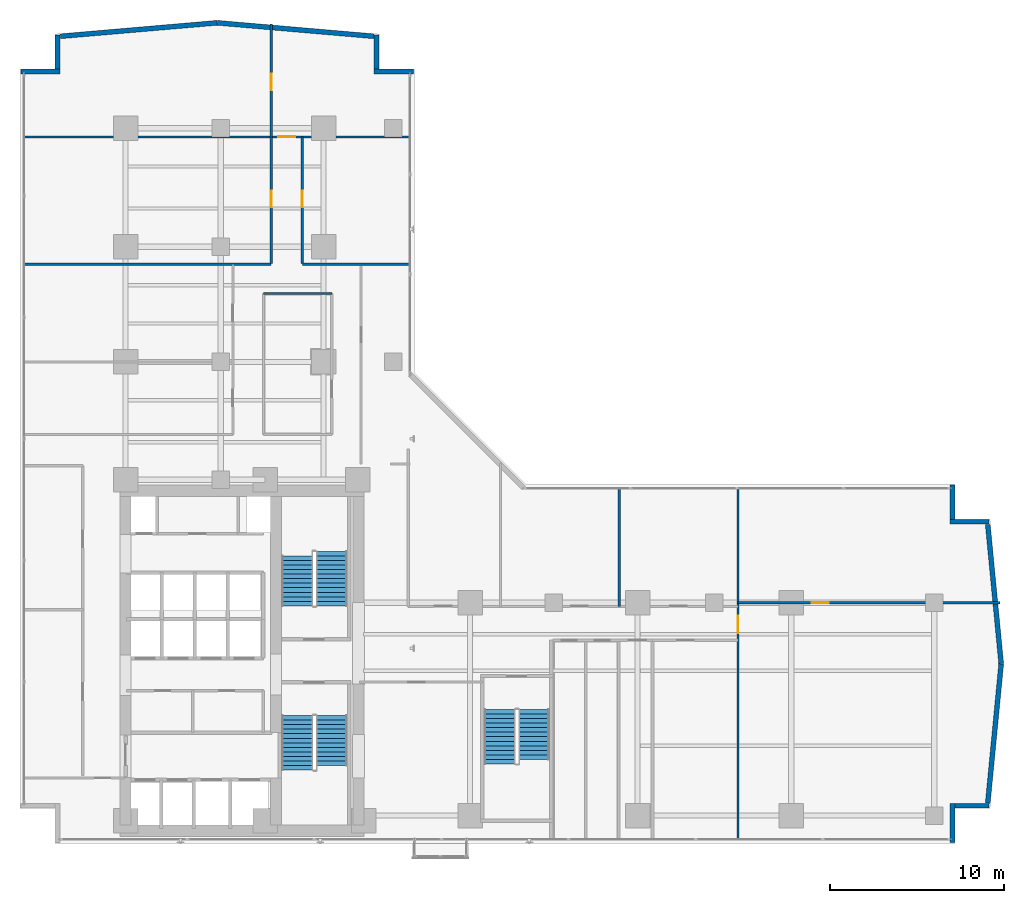
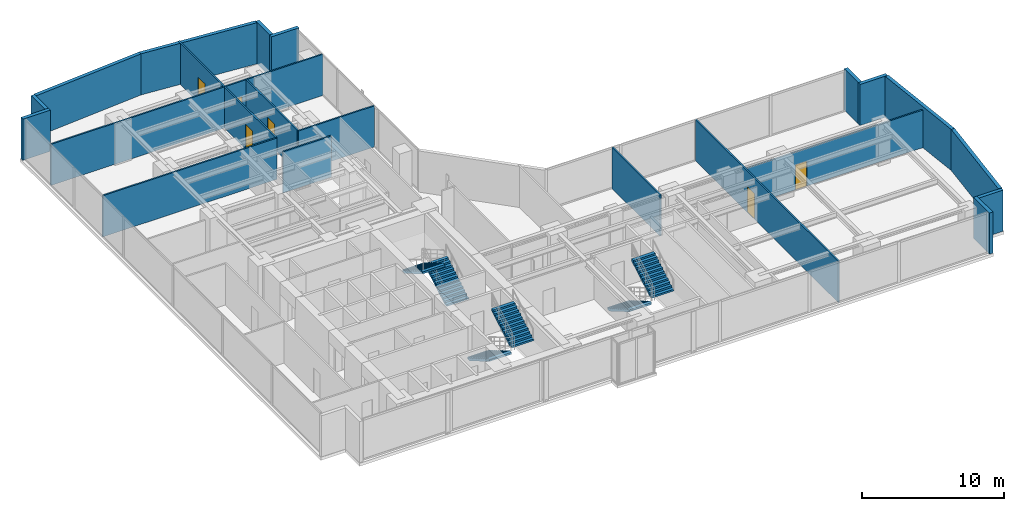
# One storey, part 21 of 26: 22 walls, 6 doors, 6 stair flights, 6 openings, 3 elements without a shape of their own.
"""IFC4 building model written with IfcOpenShell, lengths in metres."""

from ifc_helpers import new_model, si_unit, direction, frame, frame_2d, origin, place, context, subcontext, project, spatial, polyline, rectangle, outline, extrude, material, layer, layer_set, type_object, element, fill, aggregate, save


model = new_model("IFC4")

# Units and contexts
model_context = context("Model", 3, precision=1e-05, world=origin(), true_north=direction((0.0, 1.0)))
body_context = subcontext(model_context, "Body", "Model", "MODEL_VIEW")
ifc_project = project(units=[si_unit("LENGTHUNIT", "METRE"), si_unit("AREAUNIT", "SQUARE_METRE"), si_unit("VOLUMEUNIT", "CUBIC_METRE"), si_unit("PLANEANGLEUNIT", "RADIAN"), si_unit("MASSUNIT", "GRAM", prefix="KILO")], contexts=[model_context])

# Site, building, storey
site_placement = place(None, origin())
site = spatial("IfcSite", under=ifc_project, at=site_placement, CompositionType="ELEMENT")
building_placement = place(site_placement, origin())
building = spatial("IfcBuilding", under=site, at=building_placement, Name="Kolvaren Waterfront Exchange", CompositionType="ELEMENT")
storey_placement = place(building_placement, frame((0.0, 0.0, 122.10009765625)))
storey = spatial("IfcBuildingStorey", under=building, at=storey_placement, Name="L31", CompositionType="ELEMENT", Elevation=122.10009765625)

# Walls
ifc_material_1 = material(Name="Precast concrete C40/50", Category="concrete")
ifc_layer_1 = layer(ifc_material_1, 0.280029296875, Name="Precast concrete C40/50")
ifc_layer_set_1 = layer_set([ifc_layer_1], Name="Precast concrete C40/50")
wall_type_1 = type_object("IfcWallType", Name="ARC-EXT-TERR-280", PredefinedType="SOLIDWALL", material=ifc_layer_set_1)
wall_1_placement = place(storey_placement, frame((54.840087890625, 3.659912109375, 0.0), z_axis=(0.0, 0.0, 1.0), x_axis=(0.0, 1.0, 0.0)))
element("IfcWall", 1, at=wall_1_placement, inside=storey, type_object=wall_type_1, Name="L31 notched corner spandrel pier SE-A", PredefinedType="SOLIDWALL", context=body_context, shape_type="SweptSolid", body=[
    extrude(rectangle(XDim=2.239990234375, YDim=0.280029296875, at=frame_2d((1.1201171875, 0.0))), origin(), (0.0, 0.0, 1.0), 3.539794921875),
])
wall_2_placement = place(storey_placement, frame((54.97998046875, 5.760009765625, 0.0), z_axis=(0.0, 0.0, 1.0), x_axis=(1.0, 0.0, 0.0)))
element("IfcWall", 2, at=wall_2_placement, inside=storey, type_object=wall_type_1, Name="L31 notched corner spandrel pier SE-B", PredefinedType="SOLIDWALL", context=body_context, shape_type="SweptSolid", body=[
    extrude(rectangle(XDim=1.9599609375, YDim=0.280029296875, at=frame_2d((0.97998046875, 0.0))), origin(), (0.0, 0.0, 1.0), 3.539794921875),
])
wall_3_placement = place(storey_placement, frame((54.840087890625, 22.1650390625, 0.0), z_axis=(0.0, 0.0, 1.0), x_axis=(0.0, 1.0, 0.0)))
element("IfcWall", 3, at=wall_3_placement, inside=storey, type_object=wall_type_1, Name="L31 notched corner spandrel pier ENE-A", PredefinedType="SOLIDWALL", context=body_context, shape_type="SweptSolid", body=[
    extrude(rectangle(XDim=1.974853515625, YDim=0.280029296875, at=frame_2d((0.9873046875, 0.0))), origin(), (0.0, 0.0, 1.0), 3.539794921875),
])
for number, where, z_axis, x_axis, name in (
    (4, (54.699951171875, 22.0400390625, 0.0), (0.0, 0.0, 1.0), (1.0, 0.0, 0.0), "L31 notched corner spandrel pier ENE-B"),
    (5, (21.699951171875, 47.840087890625, 0.0), (0.0, 0.0, 1.0), (1.0, 0.0, 0.0), "L31 notched corner spandrel pier NNE-A"),
):
    element("IfcWall", number, at=place(storey_placement, frame(where, z_axis=z_axis, x_axis=x_axis)), inside=storey, type_object=wall_type_1, Name=name, PredefinedType="SOLIDWALL", context=body_context, shape_type="SweptSolid", body=[
        extrude(rectangle(XDim=2.239990234375, YDim=0.280029296875, at=frame_2d((1.1201171875, 0.0))), origin(), (0.0, 0.0, 1.0), 3.539794921875),
    ])
wall_4_placement = place(storey_placement, frame((21.840087890625, 47.97998046875, 0.0), z_axis=(0.0, 0.0, 1.0), x_axis=(0.0, 1.0, 0.0)))
element("IfcWall", 6, at=wall_4_placement, inside=storey, type_object=wall_type_1, Name="L31 notched corner spandrel pier NNE-B", PredefinedType="SOLIDWALL", context=body_context, shape_type="SweptSolid", body=[
    extrude(rectangle(XDim=1.9599609375, YDim=0.280029296875, at=frame_2d((0.97998046875, 0.0))), origin(), (0.0, 0.0, 1.0), 3.539794921875),
])
wall_5_placement = place(storey_placement, frame((1.4599609375, 47.840087890625, 0.0), z_axis=(0.0, 0.0, 1.0), x_axis=(1.0, 0.0, 0.0)))
element("IfcWall", 7, at=wall_5_placement, inside=storey, type_object=wall_type_1, Name="L31 notched corner spandrel pier NW-A", PredefinedType="SOLIDWALL", context=body_context, shape_type="SweptSolid", body=[
    extrude(rectangle(XDim=2.239990234375, YDim=0.280029296875, at=frame_2d((1.1201171875, 0.0))), origin(), (0.0, 0.0, 1.0), 3.539794921875),
])
wall_6_placement = place(storey_placement, frame((3.56005859375, 47.97998046875, 0.0), z_axis=(0.0, 0.0, 1.0), x_axis=(0.0, 1.0, 0.0)))
element("IfcWall", 8, at=wall_6_placement, inside=storey, type_object=wall_type_1, Name="L31 notched corner spandrel pier NW-B", PredefinedType="SOLIDWALL", context=body_context, shape_type="SweptSolid", body=[
    extrude(rectangle(XDim=1.9599609375, YDim=0.280029296875, at=frame_2d((0.97998046875, 0.0))), origin(), (0.0, 0.0, 1.0), 3.539794921875),
])
for number, where, z_axis, x_axis, name in (
    (9, (56.869384765625, 5.9140625, 0.0), (0.0, 0.0, 1.0), (0.095969995245, 0.995384227328, 0.0), "L31 east prow faceted facade wall 1"),
    (10, (57.638916015625, 13.904541015625, 0.0), (0.0, 0.0, 1.0), (-0.095969995245, 0.995384227328, 0.0), "L31 east prow faceted facade wall 2"),
):
    element("IfcWall", number, at=place(storey_placement, frame(where, z_axis=z_axis, x_axis=x_axis)), inside=storey, type_object=wall_type_1, Name=name, PredefinedType="SOLIDWALL", context=body_context, shape_type="SweptSolid", body=[
        extrude(rectangle(XDim=8.0185546875, YDim=0.280029296875, at=frame_2d((4.00927734375, 0.0))), origin(), (0.0, 0.0, 1.0), 3.539794921875),
    ])
for number, where, z_axis, x_axis, name in (
    (11, (21.6875, 49.8662109375, 0.0), (0.0, 0.0, 1.0), (-0.996319339243, 0.085719159179, 0.0), "L31 north prow faceted facade wall 1"),
    (12, (12.69384765625, 50.638916015625, 0.0), (0.0, 0.0, 1.0), (-0.996319339243, -0.085719159179, 0.0), "L31 north prow faceted facade wall 2"),
):
    element("IfcWall", number, at=place(storey_placement, frame(where, z_axis=z_axis, x_axis=x_axis)), inside=storey, type_object=wall_type_1, Name=name, PredefinedType="SOLIDWALL", context=body_context, shape_type="SweptSolid", body=[
        extrude(rectangle(XDim=9.014404296875, YDim=0.280029296875, at=frame_2d((4.50732421875, 0.0))), origin(), (0.0, 0.0, 1.0), 3.539794921875),
    ])
ifc_material_2 = material(Name="Acoustic gypsum steel stud", Category="steel")
ifc_layer_2 = layer(ifc_material_2, 0.125, Name="Acoustic gypsum steel stud")
ifc_layer_set_2 = layer_set([ifc_layer_2], Name="Acoustic gypsum steel stud")
wall_type_2 = type_object("IfcWallType", Name="ARC-PART-125", PredefinedType="PARTITIONING", material=ifc_layer_set_2)
wall_7_placement = place(storey_placement, frame((15.35009765625, 35.1201171875, 0.0), z_axis=(0.0, 0.0, 1.0), x_axis=(1.0, 0.0, 0.0)))
element("IfcWall", 13, at=wall_7_placement, inside=storey, type_object=wall_type_2, Name="L31 interior wall PW-L31-ISL-N", PredefinedType="PARTITIONING", context=body_context, shape_type="SweptSolid", body=[
    extrude(rectangle(XDim=3.919921875, YDim=0.125, at=frame_2d((1.9599609375, 0.0))), origin(), (0.0, 0.0, 1.0), 3.539794921875),
])
wall_8_placement = place(storey_placement, frame((1.639892578125, 36.800048828125, 0.0), z_axis=(0.0, 0.0, 1.0), x_axis=(1.0, 0.0, 0.0)))
element("IfcWall", 14, at=wall_8_placement, inside=storey, type_object=wall_type_2, Name="L31 interior wall PW-L31-MWL-N", PredefinedType="PARTITIONING", context=body_context, shape_type="SweptSolid", body=[
    extrude(rectangle(XDim=14.16015625, YDim=0.125, at=frame_2d((7.080078125, 0.0))), origin(), (0.0, 0.0, 1.0), 3.539794921875),
])
wall_9_placement = place(storey_placement, frame((17.580078125, 36.800048828125, 0.0), z_axis=(0.0, 0.0, 1.0), x_axis=(1.0, 0.0, 0.0)))
element("IfcWall", 15, at=wall_9_placement, inside=storey, type_object=wall_type_2, Name="L31 interior wall PW-L31-RFLANK-N", PredefinedType="PARTITIONING", context=body_context, shape_type="SweptSolid", body=[
    extrude(rectangle(XDim=6.179931640625, YDim=0.125, at=frame_2d((3.08984375, 0.0))), origin(), (0.0, 0.0, 1.0), 3.539794921875),
])

# Wall, opening, door
wall_10_placement = place(storey_placement, frame((42.550048828125, 3.840087890625, 0.0), z_axis=(0.0, 0.0, 1.0), x_axis=(0.0, 1.0, 0.0)))
wall_10 = element("IfcWall", 16, at=wall_10_placement, inside=storey, type_object=wall_type_2, Name="L31 interior wall PW-L31-ETIP-W", PredefinedType="PARTITIONING", context=body_context, shape_type="SweptSolid", body=[
    extrude(rectangle(XDim=20.119873046875, YDim=0.125, at=frame_2d((10.06005859375, 0.0))), origin(), (0.0, 0.0, 1.0), 3.539794921875),
])
opening_1_placement = place(wall_10_placement, frame((11.81005859375, 0.0, 0.0)))
opening_1 = element("IfcOpeningElement", 17, at=opening_1_placement, cuts=wall_10, Name="Opening D03", PredefinedType="OPENING", context=body_context, shape_type="SweptSolid", body=[
    extrude(rectangle(XDim=1.0, YDim=2.199951171875, at=frame_2d((0.5, 1.10009765625))), frame((0.0, 0.072509765625, 0.0), z_axis=(0.0, -1.0, 0.0), x_axis=(1.0, 0.0, 0.0)), (0.0, 0.0, 1.0), 0.14501953125),
])
ifc_material_3 = material(Name="Oak veneer accessible timber", Category="wood")
door_type_1 = type_object("IfcDoorType", Name="ARC-DR-1000", OperationType="NOTDEFINED", PredefinedType="DOOR", material=ifc_material_3)
door_1_placement = place(opening_1_placement, origin())
door_1 = element("IfcDoor", 18, at=door_1_placement, inside=storey, type_object=door_type_1, Name="L31 door DR-L31-ETIP1-D (D03)", OperationType="SINGLE_SWING_LEFT", OverallHeight=2.199951171875, OverallWidth=1.0, PredefinedType="DOOR", context=body_context, shape_type="SweptSolid", body=[
    extrude(rectangle(XDim=1.0, YDim=2.199951171875, at=frame_2d((0.5, 1.10009765625))), frame((0.0, 0.02490234375, 0.0), z_axis=(0.0, -1.0, 0.0), x_axis=(1.0, 0.0, 0.0)), (0.0, 0.0, 1.0), 0.050048828125),
])
fill(opening_1, door_1)

wall_11_placement = place(storey_placement, frame((42.550048828125, 17.39990234375, 0.0), z_axis=(0.0, 0.0, 1.0), x_axis=(1.0, 0.0, 0.0)))
wall_11 = element("IfcWall", 19, at=wall_11_placement, inside=storey, type_object=wall_type_2, Name="L31 interior wall PW-L31-ETIP-MID", PredefinedType="PARTITIONING", context=body_context, shape_type="SweptSolid", body=[
    extrude(rectangle(XDim=15.010009765625, YDim=0.125, at=frame_2d((7.5048828125, 0.0))), origin(), (0.0, 0.0, 1.0), 3.239990234375),
])
opening_2_placement = place(wall_11_placement, frame((4.24365234375, 0.0, 0.0)))
opening_2 = element("IfcOpeningElement", 20, at=opening_2_placement, cuts=wall_11, Name="Opening D02", PredefinedType="OPENING", context=body_context, shape_type="SweptSolid", body=[
    extrude(rectangle(XDim=0.949951171875, YDim=2.14990234375, at=frame_2d((0.47509765625, 1.074951171875))), frame((0.0, 0.072509765625, 0.0), z_axis=(0.0, -1.0, 0.0), x_axis=(1.0, 0.0, 0.0)), (0.0, 0.0, 1.0), 0.14501953125),
])
ifc_material_4 = material(Name="Oak veneer acoustic timber", Category="wood")
door_type_2 = type_object("IfcDoorType", Name="ARC-DR-950", OperationType="NOTDEFINED", PredefinedType="DOOR", material=ifc_material_4)
door_2_placement = place(opening_2_placement, origin())
door_2 = element("IfcDoor", 21, at=door_2_placement, inside=storey, type_object=door_type_2, Name="L31 door DR-L31-ETIP2-D (D02)", OperationType="SINGLE_SWING_RIGHT", OverallHeight=2.14990234375, OverallWidth=0.949951171875, PredefinedType="DOOR", context=body_context, shape_type="SweptSolid", body=[
    extrude(rectangle(XDim=0.949951171875, YDim=2.14990234375, at=frame_2d((0.47509765625, 1.074951171875))), frame((0.0, 0.02490234375, 0.0), z_axis=(0.0, -1.0, 0.0), x_axis=(1.0, 0.0, 0.0)), (0.0, 0.0, 1.0), 0.050048828125),
])
fill(opening_2, door_2)

# Wall
wall_12_placement = place(storey_placement, frame((35.75, 17.18994140625, 0.0), z_axis=(0.0, 0.0, 1.0), x_axis=(0.0, 1.0, 0.0)))
element("IfcWall", 22, at=wall_12_placement, inside=storey, type_object=wall_type_2, Name="L31 interior wall PW-L31-EN-DIV-2", PredefinedType="PARTITIONING", context=body_context, shape_type="SweptSolid", body=[
    extrude(rectangle(XDim=6.77001953125, YDim=0.125, at=frame_2d((3.385009765625, 0.0))), origin(), (0.0, 0.0, 1.0), 3.539794921875),
])

# Wall, opening, door
wall_13_placement = place(storey_placement, frame((15.800048828125, 36.85009765625, 0.0), z_axis=(0.0, 0.0, 1.0), x_axis=(0.0, 1.0, 0.0)))
wall_13 = element("IfcWall", 23, at=wall_13_placement, inside=storey, type_object=wall_type_2, Name="L31 interior wall PW-L31-NW-CORR", PredefinedType="PARTITIONING", context=body_context, shape_type="SweptSolid", body=[
    extrude(rectangle(XDim=7.25, YDim=0.125, at=frame_2d((3.625, 0.0))), origin(), (0.0, 0.0, 1.0), 3.539794921875),
])
opening_3_placement = place(wall_13_placement, frame((3.220458984375, 0.0, 0.0)))
opening_3 = element("IfcOpeningElement", 24, at=opening_3_placement, cuts=wall_13, Name="Opening D02", PredefinedType="OPENING", context=body_context, shape_type="SweptSolid", body=[
    extrude(rectangle(XDim=0.949951171875, YDim=2.14990234375, at=frame_2d((0.47509765625, 1.074951171875))), frame((0.0, 0.072509765625, 0.0), z_axis=(0.0, -1.0, 0.0), x_axis=(1.0, 0.0, 0.0)), (0.0, 0.0, 1.0), 0.14501953125),
])
door_3_placement = place(opening_3_placement, origin())
door_3 = element("IfcDoor", 25, at=door_3_placement, inside=storey, type_object=door_type_2, Name="L31 door DR-L31-NW-D-1 (D02)", OperationType="SINGLE_SWING_RIGHT", OverallHeight=2.14990234375, OverallWidth=0.949951171875, PredefinedType="DOOR", context=body_context, shape_type="SweptSolid", body=[
    extrude(rectangle(XDim=0.949951171875, YDim=2.14990234375, at=frame_2d((0.47509765625, 1.074951171875))), frame((0.0, 0.02490234375, 0.0), z_axis=(0.0, -1.0, 0.0), x_axis=(1.0, 0.0, 0.0)), (0.0, 0.0, 1.0), 0.050048828125),
])
fill(opening_3, door_3)

wall_14_placement = place(storey_placement, frame((1.639892578125, 44.10009765625, 0.0), z_axis=(0.0, 0.0, 1.0), x_axis=(1.0, 0.0, 0.0)))
wall_14 = element("IfcWall", 26, at=wall_14_placement, inside=storey, type_object=wall_type_2, Name="L31 interior wall PW-L31-NTIP-S", PredefinedType="PARTITIONING", context=body_context, shape_type="SweptSolid", body=[
    extrude(rectangle(XDim=22.1201171875, YDim=0.125, at=frame_2d((11.06005859375, 0.0))), origin(), (0.0, 0.0, 1.0), 3.539794921875),
])
opening_4_placement = place(wall_14_placement, frame((14.550048828125, 0.0, 0.0)))
opening_4 = element("IfcOpeningElement", 27, at=opening_4_placement, cuts=wall_14, Name="Opening D03", PredefinedType="OPENING", context=body_context, shape_type="SweptSolid", body=[
    extrude(rectangle(XDim=1.0, YDim=2.199951171875, at=frame_2d((0.5, 1.10009765625))), frame((0.0, 0.072509765625, 0.0), z_axis=(0.0, -1.0, 0.0), x_axis=(1.0, 0.0, 0.0)), (0.0, 0.0, 1.0), 0.14501953125),
])
door_4_placement = place(opening_4_placement, origin())
door_4 = element("IfcDoor", 28, at=door_4_placement, inside=storey, type_object=door_type_1, Name="L31 door DR-L31-NTIPE-D (D03)", OperationType="SINGLE_SWING_LEFT", OverallHeight=2.199951171875, OverallWidth=1.0, PredefinedType="DOOR", context=body_context, shape_type="SweptSolid", body=[
    extrude(rectangle(XDim=1.0, YDim=2.199951171875, at=frame_2d((0.5, 1.10009765625))), frame((0.0, 0.02490234375, 0.0), z_axis=(0.0, -1.0, 0.0), x_axis=(1.0, 0.0, 0.0)), (0.0, 0.0, 1.0), 0.050048828125),
])
fill(opening_4, door_4)

wall_15_placement = place(storey_placement, frame((15.800048828125, 44.10009765625, 0.0), z_axis=(0.0, 0.0, 1.0), x_axis=(0.0, 1.0, 0.0)))
wall_15 = element("IfcWall", 29, at=wall_15_placement, inside=storey, type_object=wall_type_2, Name="L31 interior wall PW-L31-NTIP-DIV", PredefinedType="PARTITIONING", context=body_context, shape_type="SweptSolid", body=[
    extrude(rectangle(XDim=6.4599609375, YDim=0.125, at=frame_2d((3.22998046875, 0.0))), origin(), (0.0, 0.0, 1.0), 3.539794921875),
])
opening_5_placement = place(wall_15_placement, frame((2.677490234375, 0.0, 0.0)))
opening_5 = element("IfcOpeningElement", 30, at=opening_5_placement, cuts=wall_15, Name="Opening D02", PredefinedType="OPENING", context=body_context, shape_type="SweptSolid", body=[
    extrude(rectangle(XDim=0.949951171875, YDim=2.14990234375, at=frame_2d((0.47509765625, 1.074951171875))), frame((0.0, 0.072509765625, 0.0), z_axis=(0.0, -1.0, 0.0), x_axis=(1.0, 0.0, 0.0)), (0.0, 0.0, 1.0), 0.14501953125),
])
door_5_placement = place(opening_5_placement, origin())
door_5 = element("IfcDoor", 31, at=door_5_placement, inside=storey, type_object=door_type_2, Name="L31 door DR-L31-NTIPW-D (D02)", OperationType="SINGLE_SWING_RIGHT", OverallHeight=2.14990234375, OverallWidth=0.949951171875, PredefinedType="DOOR", context=body_context, shape_type="SweptSolid", body=[
    extrude(rectangle(XDim=0.949951171875, YDim=2.14990234375, at=frame_2d((0.47509765625, 1.074951171875))), frame((0.0, 0.02490234375, 0.0), z_axis=(0.0, -1.0, 0.0), x_axis=(1.0, 0.0, 0.0)), (0.0, 0.0, 1.0), 0.050048828125),
])
fill(opening_5, door_5)

wall_16_placement = place(storey_placement, frame((17.580078125, 36.85009765625, 0.0), z_axis=(0.0, 0.0, 1.0), x_axis=(0.0, 1.0, 0.0)))
wall_16 = element("IfcWall", 32, at=wall_16_placement, inside=storey, type_object=wall_type_2, Name="L31 interior wall PW-L31-NE-CORR", PredefinedType="PARTITIONING", context=body_context, shape_type="SweptSolid", body=[
    extrude(rectangle(XDim=7.25, YDim=0.125, at=frame_2d((3.625, 0.0))), origin(), (0.0, 0.0, 1.0), 3.539794921875),
])
opening_6_placement = place(wall_16_placement, frame((3.220458984375, 0.0, 0.0)))
opening_6 = element("IfcOpeningElement", 33, at=opening_6_placement, cuts=wall_16, Name="Opening D02", PredefinedType="OPENING", context=body_context, shape_type="SweptSolid", body=[
    extrude(rectangle(XDim=0.949951171875, YDim=2.14990234375, at=frame_2d((0.47509765625, 1.074951171875))), frame((0.0, 0.072509765625, 0.0), z_axis=(0.0, -1.0, 0.0), x_axis=(1.0, 0.0, 0.0)), (0.0, 0.0, 1.0), 0.14501953125),
])
door_6_placement = place(opening_6_placement, origin())
door_6 = element("IfcDoor", 34, at=door_6_placement, inside=storey, type_object=door_type_2, Name="L31 door DR-L31-NE-D-1 (D02)", OperationType="SINGLE_SWING_LEFT", OverallHeight=2.14990234375, OverallWidth=0.949951171875, PredefinedType="DOOR", context=body_context, shape_type="SweptSolid", body=[
    extrude(rectangle(XDim=0.949951171875, YDim=2.14990234375, at=frame_2d((0.47509765625, 1.074951171875))), frame((0.0, 0.02490234375, 0.0), z_axis=(0.0, -1.0, 0.0), x_axis=(1.0, 0.0, 0.0)), (0.0, 0.0, 1.0), 0.050048828125),
])
fill(opening_6, door_6)

# Stair, stair flights
ifc_material_5 = material(Name="Concrete C40/50", Category="concrete")
stair_type = type_object("IfcStairType", Name="ARC-STAIR-3800", PredefinedType="HALF_TURN_STAIR", material=ifc_material_5)
stair_1_placement = place(storey_placement, origin())
stair_1 = element("IfcStair", 35, at=stair_1_placement, inside=storey, type_object=stair_type, Name="L31 Smoke-proof exit stair ST1", PredefinedType="HALF_TURN_STAIR")
stair_flight_type = type_object("IfcStairFlightType", Name="ARC-FLIGHT-3800", PredefinedType="STRAIGHT", material=ifc_material_5)
stair_flight_1_placement = place(storey_placement, frame((17.300048828125, 10.929931640625, 0.0), z_axis=(0.0, 0.0, 1.0), x_axis=(0.0, -1.0, 0.0)))
stair_flight_1 = element("IfcStairFlight", 36, at=stair_flight_1_placement, type_object=stair_flight_type, Name="ST1 flight 1", NumberOfRisers=13, NumberOfTreads=12, PredefinedType="STRAIGHT", RiserHeight=0.152, TreadLength=0.26, context=body_context, shape_type="SweptSolid", body=[
    extrude(outline(polyline([(0.0, 0.0), (0.0, 0.152099609375), (0.260009765625, 0.152099609375), (0.260009765625, 0.303955078125), (0.52001953125, 0.303955078125), (0.52001953125, 0.4560546875), (0.780029296875, 0.4560546875), (0.780029296875, 0.60791015625), (1.0400390625, 0.60791015625), (1.0400390625, 0.760009765625), (1.300048828125, 0.760009765625), (1.300048828125, 0.912109375), (1.56005859375, 0.912109375), (1.56005859375, 1.06396484375), (1.820068359375, 1.06396484375), (1.820068359375, 1.216064453125), (2.080078125, 1.216064453125), (2.080078125, 1.367919921875), (2.340087890625, 1.367919921875), (2.340087890625, 1.52001953125), (2.60009765625, 1.52001953125), (2.60009765625, 1.672119140625), (2.860107421875, 1.672119140625), (2.860107421875, 1.823974609375), (3.1201171875, 1.823974609375), (3.1201171875, 1.97607421875), (3.1201171875, 1.650390625), (0.297119140625, 0.0), (0.0, 0.0)])), frame((0.0, 0.89990234375, 0.0), z_axis=(0.0, -1.0, 0.0), x_axis=(1.0, 0.0, 0.0)), (0.0, 0.0, 1.0), 1.800048828125),
])
stair_flight_2_placement = place(storey_placement, frame((19.260009765625, 8.070068359375, 1.975830078125), z_axis=(0.0, 0.0, 1.0), x_axis=(0.0, 1.0, 0.0)))
stair_flight_2 = element("IfcStairFlight", 37, at=stair_flight_2_placement, type_object=stair_flight_type, Name="ST1 flight 2", NumberOfRisers=12, NumberOfTreads=11, PredefinedType="STRAIGHT", RiserHeight=0.152, TreadLength=0.26, context=body_context, shape_type="SweptSolid", body=[
    extrude(outline(polyline([(0.0, 0.0), (0.0, 0.152099609375), (0.260009765625, 0.152099609375), (0.260009765625, 0.303955078125), (0.52001953125, 0.303955078125), (0.52001953125, 0.4560546875), (0.780029296875, 0.4560546875), (0.780029296875, 0.60791015625), (1.0400390625, 0.60791015625), (1.0400390625, 0.760009765625), (1.300048828125, 0.760009765625), (1.300048828125, 0.912109375), (1.56005859375, 0.912109375), (1.56005859375, 1.06396484375), (1.820068359375, 1.06396484375), (1.820068359375, 1.216064453125), (2.080078125, 1.216064453125), (2.080078125, 1.367919921875), (2.340087890625, 1.367919921875), (2.340087890625, 1.52001953125), (2.60009765625, 1.52001953125), (2.60009765625, 1.672119140625), (2.860107421875, 1.672119140625), (2.860107421875, 1.823974609375), (2.860107421875, 1.498291015625), (0.297119140625, 0.0), (0.0, 0.0)])), frame((0.0, 0.89990234375, 0.0), z_axis=(0.0, -1.0, 0.0), x_axis=(1.0, 0.0, 0.0)), (0.0, 0.0, 1.0), 1.800048828125),
])
aggregate(stair_1, [stair_flight_1, stair_flight_2])

stair_2_placement = place(storey_placement, origin())
stair_2 = element("IfcStair", 38, at=stair_2_placement, inside=storey, type_object=stair_type, Name="L31 Smoke-proof exit stair ST2", PredefinedType="HALF_TURN_STAIR")
stair_flight_3_placement = place(storey_placement, frame((19.260009765625, 17.219970703125, 0.0), z_axis=(0.0, 0.0, 1.0), x_axis=(0.0, 1.0, 0.0)))
stair_flight_3 = element("IfcStairFlight", 39, at=stair_flight_3_placement, type_object=stair_flight_type, Name="ST2 flight 1", NumberOfRisers=13, NumberOfTreads=12, PredefinedType="STRAIGHT", RiserHeight=0.152, TreadLength=0.26, context=body_context, shape_type="SweptSolid", body=[
    extrude(outline(polyline([(0.0, 0.0), (0.0, 0.152099609375), (0.260009765625, 0.152099609375), (0.260009765625, 0.303955078125), (0.52001953125, 0.303955078125), (0.52001953125, 0.4560546875), (0.780029296875, 0.4560546875), (0.780029296875, 0.60791015625), (1.0400390625, 0.60791015625), (1.0400390625, 0.760009765625), (1.300048828125, 0.760009765625), (1.300048828125, 0.912109375), (1.56005859375, 0.912109375), (1.56005859375, 1.06396484375), (1.820068359375, 1.06396484375), (1.820068359375, 1.216064453125), (2.080078125, 1.216064453125), (2.080078125, 1.367919921875), (2.340087890625, 1.367919921875), (2.340087890625, 1.52001953125), (2.60009765625, 1.52001953125), (2.60009765625, 1.672119140625), (2.860107421875, 1.672119140625), (2.860107421875, 1.823974609375), (3.1201171875, 1.823974609375), (3.1201171875, 1.97607421875), (3.1201171875, 1.650390625), (0.297119140625, 0.0), (0.0, 0.0)])), frame((0.0, 0.89990234375, 0.0), z_axis=(0.0, -1.0, 0.0), x_axis=(1.0, 0.0, 0.0)), (0.0, 0.0, 1.0), 1.800048828125),
])
stair_flight_4_placement = place(storey_placement, frame((17.300048828125, 20.080078125, 1.975830078125), z_axis=(0.0, 0.0, 1.0), x_axis=(0.0, -1.0, 0.0)))
stair_flight_4 = element("IfcStairFlight", 40, at=stair_flight_4_placement, type_object=stair_flight_type, Name="ST2 flight 2", NumberOfRisers=12, NumberOfTreads=11, PredefinedType="STRAIGHT", RiserHeight=0.152, TreadLength=0.26, context=body_context, shape_type="SweptSolid", body=[
    extrude(outline(polyline([(0.0, 0.0), (0.0, 0.152099609375), (0.260009765625, 0.152099609375), (0.260009765625, 0.303955078125), (0.52001953125, 0.303955078125), (0.52001953125, 0.4560546875), (0.780029296875, 0.4560546875), (0.780029296875, 0.60791015625), (1.0400390625, 0.60791015625), (1.0400390625, 0.760009765625), (1.300048828125, 0.760009765625), (1.300048828125, 0.912109375), (1.56005859375, 0.912109375), (1.56005859375, 1.06396484375), (1.820068359375, 1.06396484375), (1.820068359375, 1.216064453125), (2.080078125, 1.216064453125), (2.080078125, 1.367919921875), (2.340087890625, 1.367919921875), (2.340087890625, 1.52001953125), (2.60009765625, 1.52001953125), (2.60009765625, 1.672119140625), (2.860107421875, 1.672119140625), (2.860107421875, 1.823974609375), (2.860107421875, 1.498291015625), (0.297119140625, 0.0), (0.0, 0.0)])), frame((0.0, 0.89990234375, 0.0), z_axis=(0.0, -1.0, 0.0), x_axis=(1.0, 0.0, 0.0)), (0.0, 0.0, 1.0), 1.800048828125),
])
aggregate(stair_2, [stair_flight_3, stair_flight_4])

stair_3_placement = place(storey_placement, origin())
stair_3 = element("IfcStair", 41, at=stair_3_placement, inside=storey, type_object=stair_type, Name="L31 Exit stair ST3", PredefinedType="HALF_TURN_STAIR")
stair_flight_5_placement = place(storey_placement, frame((28.89990234375, 11.280029296875, 0.0), z_axis=(0.0, 0.0, 1.0), x_axis=(0.0, -1.0, 0.0)))
stair_flight_5 = element("IfcStairFlight", 42, at=stair_flight_5_placement, type_object=stair_flight_type, Name="ST3 flight 1", NumberOfRisers=13, NumberOfTreads=12, PredefinedType="STRAIGHT", RiserHeight=0.152, TreadLength=0.26, context=body_context, shape_type="SweptSolid", body=[
    extrude(outline(polyline([(0.0, 0.0), (0.0, 0.152099609375), (0.260009765625, 0.152099609375), (0.260009765625, 0.303955078125), (0.52001953125, 0.303955078125), (0.52001953125, 0.4560546875), (0.780029296875, 0.4560546875), (0.780029296875, 0.60791015625), (1.0400390625, 0.60791015625), (1.0400390625, 0.760009765625), (1.300048828125, 0.760009765625), (1.300048828125, 0.912109375), (1.56005859375, 0.912109375), (1.56005859375, 1.06396484375), (1.820068359375, 1.06396484375), (1.820068359375, 1.216064453125), (2.080078125, 1.216064453125), (2.080078125, 1.367919921875), (2.340087890625, 1.367919921875), (2.340087890625, 1.52001953125), (2.60009765625, 1.52001953125), (2.60009765625, 1.672119140625), (2.860107421875, 1.672119140625), (2.860107421875, 1.823974609375), (3.1201171875, 1.823974609375), (3.1201171875, 1.97607421875), (3.1201171875, 1.650390625), (0.297119140625, 0.0), (0.0, 0.0)])), frame((0.0, 0.89990234375, 0.0), z_axis=(0.0, -1.0, 0.0), x_axis=(1.0, 0.0, 0.0)), (0.0, 0.0, 1.0), 1.800048828125),
])
stair_flight_6_placement = place(storey_placement, frame((30.860107421875, 8.419921875, 1.975830078125), z_axis=(0.0, 0.0, 1.0), x_axis=(0.0, 1.0, 0.0)))
stair_flight_6 = element("IfcStairFlight", 43, at=stair_flight_6_placement, type_object=stair_flight_type, Name="ST3 flight 2", NumberOfRisers=12, NumberOfTreads=11, PredefinedType="STRAIGHT", RiserHeight=0.152, TreadLength=0.26, context=body_context, shape_type="SweptSolid", body=[
    extrude(outline(polyline([(0.0, 0.0), (0.0, 0.152099609375), (0.260009765625, 0.152099609375), (0.260009765625, 0.303955078125), (0.52001953125, 0.303955078125), (0.52001953125, 0.4560546875), (0.780029296875, 0.4560546875), (0.780029296875, 0.60791015625), (1.0400390625, 0.60791015625), (1.0400390625, 0.760009765625), (1.300048828125, 0.760009765625), (1.300048828125, 0.912109375), (1.56005859375, 0.912109375), (1.56005859375, 1.06396484375), (1.820068359375, 1.06396484375), (1.820068359375, 1.216064453125), (2.080078125, 1.216064453125), (2.080078125, 1.367919921875), (2.340087890625, 1.367919921875), (2.340087890625, 1.52001953125), (2.60009765625, 1.52001953125), (2.60009765625, 1.672119140625), (2.860107421875, 1.672119140625), (2.860107421875, 1.823974609375), (2.860107421875, 1.498291015625), (0.297119140625, 0.0), (0.0, 0.0)])), frame((0.0, 0.89990234375, 0.0), z_axis=(0.0, -1.0, 0.0), x_axis=(1.0, 0.0, 0.0)), (0.0, 0.0, 1.0), 1.800048828125),
])
aggregate(stair_3, [stair_flight_5, stair_flight_6])

save(model, "model.ifc")
